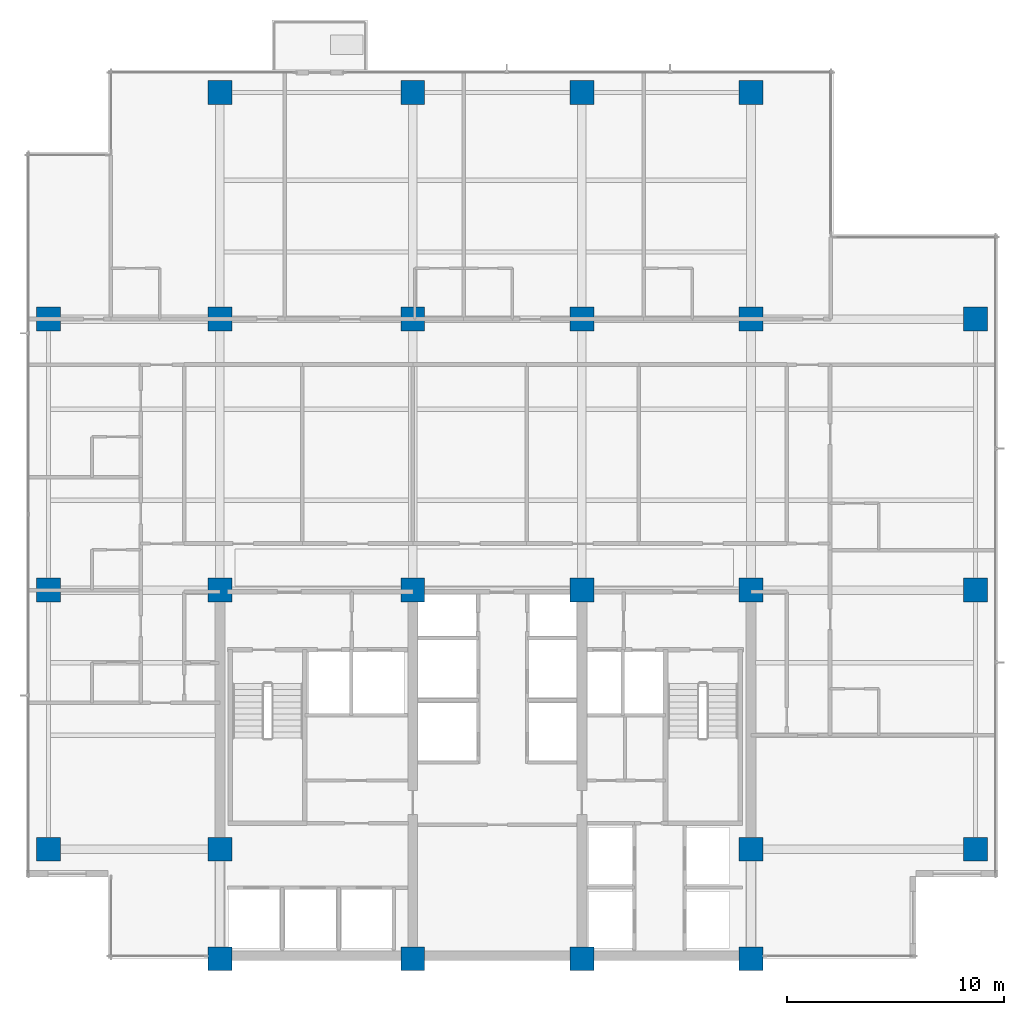
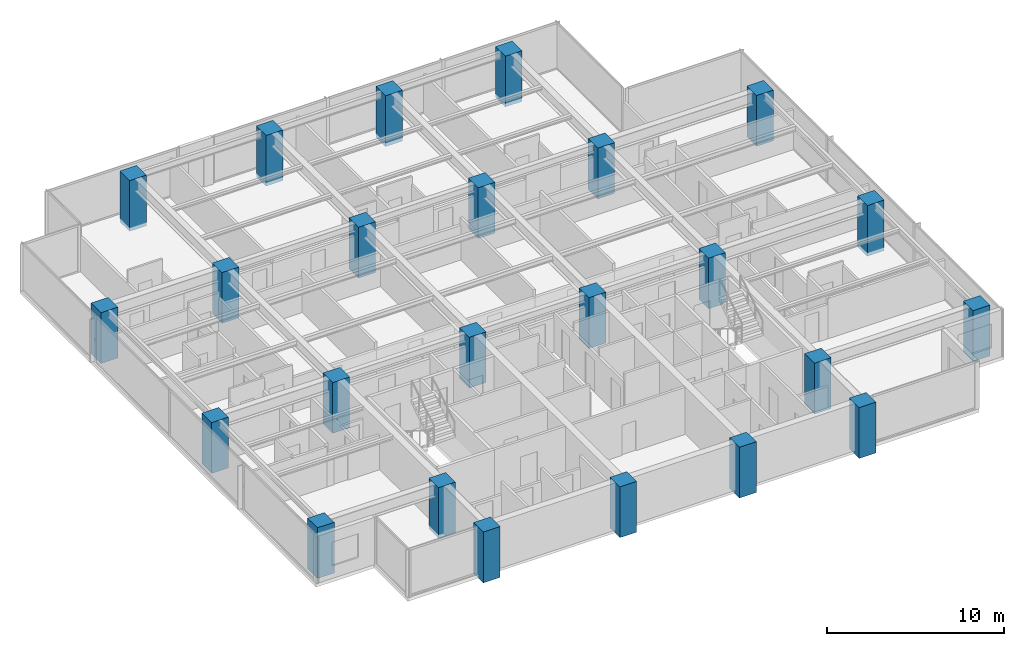
# One storey, part 1 of 15: 24 columns.
"""IFC4 building model written with IfcOpenShell, lengths in metres."""

from ifc_helpers import new_model, si_unit, direction, frame, origin, origin_2d, place, context, subcontext, project, spatial, rectangle, extrude, material, material_profile, profile_set, type_object, element, save


model = new_model("IFC4")

# Units and contexts
model_context = context("Model", 3, precision=1e-05, world=origin(), true_north=direction((0.0, 1.0)))
body_context = subcontext(model_context, "Body", "Model", "MODEL_VIEW")
ifc_project = project(units=[si_unit("LENGTHUNIT", "METRE"), si_unit("AREAUNIT", "SQUARE_METRE"), si_unit("VOLUMEUNIT", "CUBIC_METRE"), si_unit("PLANEANGLEUNIT", "RADIAN"), si_unit("MASSUNIT", "GRAM", prefix="KILO")], contexts=[model_context])

# Site, building, storey
site_placement = place(None, origin())
site = spatial("IfcSite", under=ifc_project, at=site_placement, CompositionType="ELEMENT")
building_placement = place(site_placement, origin())
building = spatial("IfcBuilding", under=site, at=building_placement, Name="Qalmaran Belvedere Hotel", CompositionType="ELEMENT")
storey_placement = place(building_placement, frame((0.0, 0.0, 142.10009765625)))
storey = spatial("IfcBuildingStorey", under=building, at=storey_placement, Name="L35", CompositionType="ELEMENT", Elevation=142.10009765625)

# Columns
ifc_material = material(Name="Concrete C50/60", Category="concrete")
ifc_material_profile = material_profile(ifc_material, rectangle(XDim=1.10009765625, YDim=1.10009765625, at=origin_2d()), Name="CC1100X1100")
ifc_profile_set = profile_set([ifc_material_profile], Name="Concrete C50/60")
column_type = type_object("IfcColumnType", Name="COL-Z3-CC1100", PredefinedType="COLUMN", material=ifc_profile_set)
for number, where, z_axis, x_axis, name in (
    (1, (20.300048828125, 3.5, -0.25), (0.0, 0.0, 1.0), (1.0, 0.0, 0.0), "L35 Column C4B"),
    (2, (29.199951171875, 3.5, -0.25), (0.0, 0.0, 1.0), (1.0, 0.0, 0.0), "L35 Column C5B"),
    (3, (37.0, 3.5, -0.25), (0.0, 0.0, 1.0), (1.0, 0.0, 0.0), "L35 Column C6B"),
    (4, (44.800048828125, 3.5, -0.25), (0.0, 0.0, 1.0), (1.0, 0.0, 0.0), "L35 Column C7B"),
    (5, (20.300048828125, 8.550048828125, -0.25), (0.0, 0.0, 1.0), (1.0, 0.0, 0.0), "L35 Column C4C"),
    (6, (44.800048828125, 8.550048828125, -0.25), (0.0, 0.0, 1.0), (1.0, 0.0, 0.0), "L35 Column C7C"),
    (7, (20.300048828125, 20.5, -0.25), (0.0, 0.0, 1.0), (1.0, 0.0, 0.0), "L35 Column C4D"),
    (8, (29.199951171875, 20.5, -0.25), (0.0, 0.0, 1.0), (1.0, 0.0, 0.0), "L35 Column C5D"),
    (9, (37.0, 20.5, -0.25), (0.0, 0.0, 1.0), (1.0, 0.0, 0.0), "L35 Column C6D"),
    (10, (44.800048828125, 20.5, -0.25), (0.0, 0.0, 1.0), (1.0, 0.0, 0.0), "L35 Column C7D"),
    (11, (20.300048828125, 33.0, -0.25), (0.0, 0.0, 1.0), (1.0, 0.0, 0.0), "L35 Column C4F"),
    (12, (29.199951171875, 33.0, -0.25), (0.0, 0.0, 1.0), (1.0, 0.0, 0.0), "L35 Column C5F"),
    (13, (37.0, 33.0, -0.25), (0.0, 0.0, 1.0), (1.0, 0.0, 0.0), "L35 Column C6F"),
    (14, (44.800048828125, 33.0, -0.25), (0.0, 0.0, 1.0), (1.0, 0.0, 0.0), "L35 Column C7F"),
    (15, (12.39990234375, 8.550048828125, -0.25), (0.0, 0.0, 1.0), (1.0, 0.0, 0.0), "L35 Column CW1"),
    (16, (12.39990234375, 20.5, -0.25), (0.0, 0.0, 1.0), (1.0, 0.0, 0.0), "L35 Column CW3"),
    (17, (12.39990234375, 33.0, -0.25), (0.0, 0.0, 1.0), (1.0, 0.0, 0.0), "L35 Column CW4"),
    (18, (55.14990234375, 8.550048828125, -0.25), (0.0, 0.0, 1.0), (1.0, 0.0, 0.0), "L35 Column CE1"),
    (19, (55.14990234375, 20.5, -0.25), (0.0, 0.0, 1.0), (1.0, 0.0, 0.0), "L35 Column CE3"),
    (20, (55.14990234375, 33.0, -0.25), (0.0, 0.0, 1.0), (1.0, 0.0, 0.0), "L35 Column CE4"),
    (21, (20.300048828125, 43.449951171875, -0.25), (0.0, 0.0, 1.0), (1.0, 0.0, 0.0), "L35 Column CN1"),
    (22, (29.199951171875, 43.449951171875, -0.25), (0.0, 0.0, 1.0), (1.0, 0.0, 0.0), "L35 Column CN2"),
    (23, (37.0, 43.449951171875, -0.25), (0.0, 0.0, 1.0), (1.0, 0.0, 0.0), "L35 Column CN3"),
    (24, (44.800048828125, 43.449951171875, -0.25), (0.0, 0.0, 1.0), (1.0, 0.0, 0.0), "L35 Column CN4"),
):
    element("IfcColumn", number, at=place(storey_placement, frame(where, z_axis=z_axis, x_axis=x_axis)), inside=storey, type_object=column_type, Name=name, PredefinedType="COLUMN", context=body_context, shape_type="SweptSolid", body=[
        extrude(rectangle(XDim=1.10009765625, YDim=1.10009765625, at=origin_2d()), origin(), (0.0, 0.0, 1.0), 3.5),
    ])

save(model, "model.ifc")
